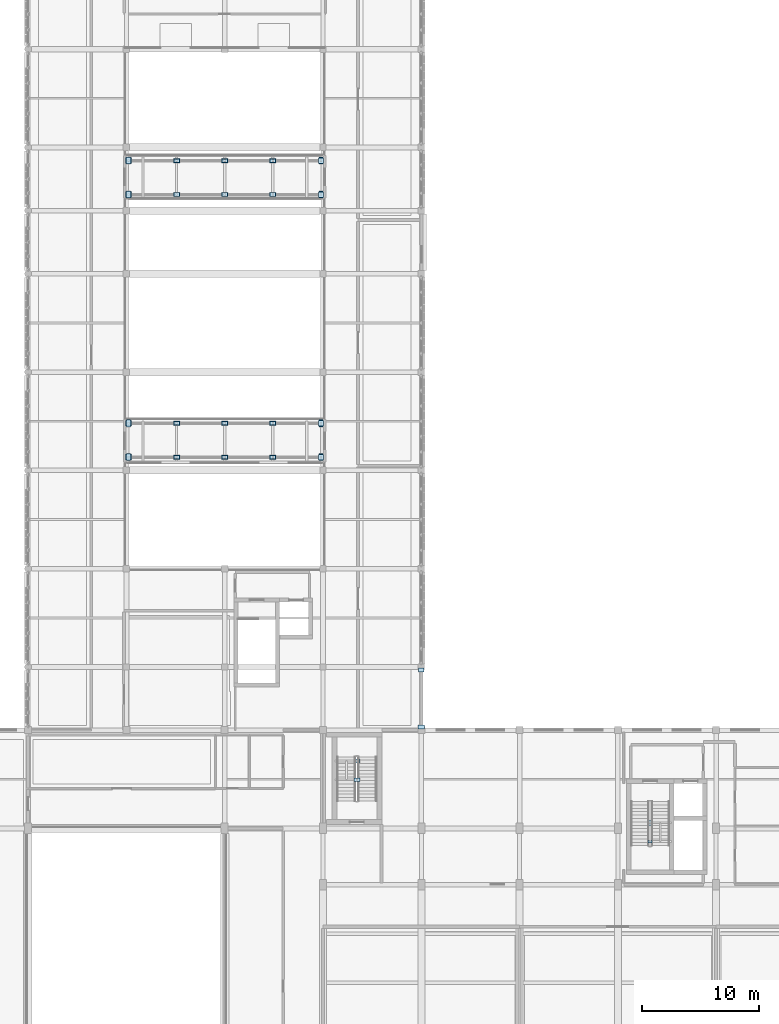
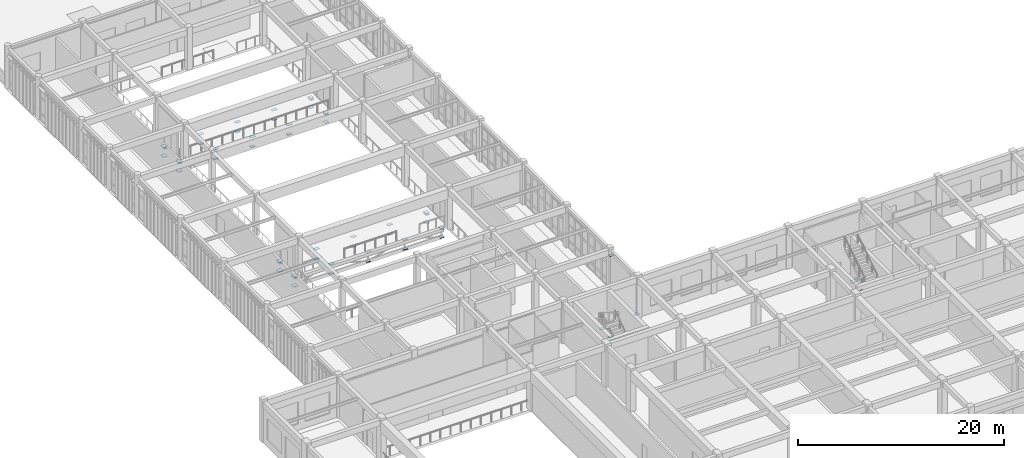
# One storey, part 54 of 77: 54 plates.
"""IFC4 building model written with IfcOpenShell, lengths in metres."""

import ifcopenshell
import ifcopenshell.guid

model = None  # the IFC model being written
_history = None  # IfcOwnerHistory: only IFC2X3 demands one
_inside = {}  # id of a spatial element -> (the spatial element, [elements in it])
_under = {}  # id of a project, library or spatial element -> (it, [spatial elements below it])
_declared = {}  # id of a project -> (the project, [libraries it declares])
_typed = {}  # id of a type object -> (the type object, [elements of that type])
_made_of = {}  # id of a material, layer set ... -> (it, [elements and type objects made of it])


def new_model(schema):
    """Start an empty IFC model of exactly this schema.

    Asked for "IFC4X3", IfcOpenShell would pick the latest addendum, in which some entities
    have other attributes; the version numbers below select the first issue.
    IFC2X3 requires an IfcOwnerHistory on every rooted entity: one is made here for all.
    """
    global model, _history
    if schema == "IFC4X3":
        model = ifcopenshell.file(schema_version=(4, 3, 0, 0))
    else:
        model = ifcopenshell.file(schema=schema)
    _inside.clear()
    _under.clear()
    _declared.clear()
    _typed.clear()
    _made_of.clear()
    _history = None
    if model.schema == "IFC2X3":
        org = make("IfcOrganization", Name="unknown")
        user = make(
            "IfcPersonAndOrganization",
            ThePerson=make("IfcPerson", FamilyName="unknown"),
            TheOrganization=org,
        )
        app = make(
            "IfcApplication",
            ApplicationDeveloper=org,
            Version="unknown",
            ApplicationFullName="unknown",
            ApplicationIdentifier="unknown",
        )
        _history = make(
            "IfcOwnerHistory",
            OwningUser=user,
            OwningApplication=app,
            ChangeAction="ADDED",
            CreationDate=0,
        )
    return model


def make(cls, **values):
    """One entity of the class cls with the attributes given. An attribute that is None is left unset."""
    return model.create_entity(
        cls, **{name: value for name, value in values.items() if value is not None}
    )


def rooted(cls, **values):
    """An entity with a GlobalId (a new one), such as an element, a storey or a relation."""
    return make(cls, GlobalId=ifcopenshell.guid.new(), OwnerHistory=_history, **values)


def si_unit(unit_type, name, prefix=None):
    """IfcSIUnit, for example si_unit("LENGTHUNIT", "METRE", prefix="MILLI")."""
    return make("IfcSIUnit", UnitType=unit_type, Prefix=prefix, Name=name)


def assignment(units):
    """IfcUnitAssignment: the units of a project."""
    return None if units is None else make("IfcUnitAssignment", Units=units)


def point(xyz):
    """IfcCartesianPoint."""
    return None if xyz is None else make("IfcCartesianPoint", Coordinates=xyz)


def direction(xyz):
    """IfcDirection."""
    return None if xyz is None else make("IfcDirection", DirectionRatios=xyz)


def frame(location, z_axis=None, x_axis=None):
    """IfcAxis2Placement3D, a coordinate frame: its origin and axes. An axis left out is left unset."""
    return make(
        "IfcAxis2Placement3D",
        Location=point(location),
        Axis=direction(z_axis),
        RefDirection=direction(x_axis),
    )


def frame_2d(location, x_axis=None):
    """IfcAxis2Placement2D, a coordinate frame in the plane: its origin and x axis."""
    return make(
        "IfcAxis2Placement2D", Location=point(location), RefDirection=direction(x_axis)
    )


def origin():
    """The frame at (0, 0, 0) with its axes left unset."""
    return frame((0.0, 0.0, 0.0))


def origin_2d():
    """The frame at (0, 0) in the plane with its x axis left unset."""
    return frame_2d((0.0, 0.0))


def place(relative_to, where):
    """IfcLocalPlacement: puts the frame where relative to a parent placement (None: the world)."""
    return make(
        "IfcLocalPlacement", PlacementRelTo=relative_to, RelativePlacement=where
    )


def context(
    kind, dimensions, precision=None, world=None, true_north=None, identifier=None
):
    """IfcGeometricRepresentationContext, for example the 3D "Model" context."""
    return make(
        "IfcGeometricRepresentationContext",
        ContextIdentifier=identifier,
        ContextType=kind,
        CoordinateSpaceDimension=dimensions,
        Precision=precision,
        WorldCoordinateSystem=world,
        TrueNorth=true_north,
    )


def subcontext(parent, identifier, kind, view, scale=None):
    """IfcGeometricRepresentationSubContext, for example "Body" below "Model"."""
    return make(
        "IfcGeometricRepresentationSubContext",
        ContextIdentifier=identifier,
        ContextType=kind,
        ParentContext=parent,
        TargetScale=scale,
        TargetView=view,
    )


def project(units=None, contexts=None):
    """IfcProject with its units and contexts."""
    return rooted(
        "IfcProject",
        Name="project",
        RepresentationContexts=contexts,
        UnitsInContext=assignment(units),
    )


def spatial(cls, under=None, at=None, **own):
    """A site, building, storey or space (cls), placed at a placement, below another one or the project."""
    s = rooted(cls, ObjectPlacement=at, **own)
    if under is not None:
        _under.setdefault(under.id(), (under, []))[1].append(s)
    return s


def profile(cls, at=None, kind="AREA", **sizes):
    """A parametric profile (cls). Its sizes go by their IFC names, for example OverallWidth=200.0."""
    return make(cls, ProfileType=kind, Position=at, **sizes)


def rectangle(**sizes):
    """IfcRectangleProfileDef."""
    return profile("IfcRectangleProfileDef", **sizes)


def extrude(swept, where, along, depth):
    """IfcExtrudedAreaSolid: the profile swept, set in the frame where, extruded along a direction by depth."""
    return make(
        "IfcExtrudedAreaSolid",
        SweptArea=swept,
        Position=where,
        ExtrudedDirection=direction(along),
        Depth=depth,
    )


def shape(context_of_items, identifier, shape_type, items):
    """IfcShapeRepresentation: the items that make up one representation, for example the "Body"."""
    return make(
        "IfcShapeRepresentation",
        ContextOfItems=context_of_items,
        RepresentationIdentifier=identifier,
        RepresentationType=shape_type,
        Items=items,
    )


def material(Name=None, Category=None):
    """IfcMaterial."""
    return make("IfcMaterial", Name=Name, Category=Category)


def layer(
    of_material, thickness, ventilated=None, Name=None, Category=None, Priority=None
):
    """IfcMaterialLayer: one layer of a wall or slab, of a material (None: an air gap)."""
    return make(
        "IfcMaterialLayer",
        Material=of_material,
        LayerThickness=thickness,
        IsVentilated=ventilated,
        Name=Name,
        Category=Category,
        Priority=Priority,
    )


def layer_set(layers, Name=None):
    """IfcMaterialLayerSet."""
    return make("IfcMaterialLayerSet", MaterialLayers=layers, LayerSetName=Name)


def made_of(thing, what):
    """Note that an element or type object is made of a material, layer set ...; save() writes the relation."""
    if what is not None:
        _made_of.setdefault(what.id(), (what, []))[1].append(thing)
    return thing


def type_object(cls, material=None, **own):
    """A type object (cls), such as IfcWallType, which elements share."""
    return made_of(rooted(cls, **own), material)


def element(
    cls,
    number,
    at=None,
    inside=None,
    cuts=None,
    type_object=None,
    material=None,
    context=None,
    identifier="Body",
    shape_type=None,
    held_by="IfcProductDefinitionShape",
    body=None,
    shapes=None,
    **own,
):
    """One element of the class cls, such as IfcWall. Its Tag is "e" and its number.

    at: its placement. inside: the storey or other place that contains it. cuts: it is an
    opening in that element (IfcRelVoidsElement). A single representation is given by context,
    identifier, shape_type and body (its items); several are given by shapes. held_by: the class
    of the entity that holds the representations. save() writes the other relations.
    """
    e = rooted(cls, Tag="e%d" % number, ObjectPlacement=at, **own)
    if body is not None:
        shapes = [shape(context, identifier, shape_type, body)]
    if shapes is not None:
        e.Representation = make(held_by, Representations=shapes)
    if inside is not None:
        _inside.setdefault(inside.id(), (inside, []))[1].append(e)
    if cuts is not None:
        rooted(
            "IfcRelVoidsElement", RelatingBuildingElement=cuts, RelatedOpeningElement=e
        )
    if type_object is not None:
        _typed.setdefault(type_object.id(), (type_object, []))[1].append(e)
    return made_of(e, material)


def aggregate(whole, parts):
    """IfcRelAggregates: a whole, such as a stair, and the parts it consists of."""
    return rooted("IfcRelAggregates", RelatingObject=whole, RelatedObjects=parts)


def save(model, path):
    """Write the relations noted so far, then the file.

    IfcRelAggregates (storeys below a building ...), IfcRelContainedInSpatialStructure (elements
    in a storey), IfcRelDefinesByType, IfcRelAssociatesMaterial and IfcRelDeclares: one each for
    every whole, place, type object, material and project.
    """
    for whole, parts in _under.values():
        aggregate(whole, parts)
    for where, things in _inside.values():
        rooted(
            "IfcRelContainedInSpatialStructure",
            RelatedElements=things,
            RelatingStructure=where,
        )
    for kind, things in _typed.values():
        rooted("IfcRelDefinesByType", RelatedObjects=things, RelatingType=kind)
    for what, things in _made_of.values():
        rooted("IfcRelAssociatesMaterial", RelatedObjects=things, RelatingMaterial=what)
    for by, libraries in _declared.values():
        rooted("IfcRelDeclares", RelatingContext=by, RelatedDefinitions=libraries)
    model.write(path)


model = new_model("IFC4")

# Units and contexts
model_context = context("Model", 3, precision=1e-05, world=origin(), true_north=direction((0.0, 1.0)))
body_context = subcontext(model_context, "Body", "Model", "MODEL_VIEW")
ifc_project = project(units=[si_unit("LENGTHUNIT", "METRE"), si_unit("AREAUNIT", "SQUARE_METRE"), si_unit("VOLUMEUNIT", "CUBIC_METRE"), si_unit("PLANEANGLEUNIT", "RADIAN"), si_unit("MASSUNIT", "GRAM", prefix="KILO")], contexts=[model_context])

# Site, building, storey
site_placement = place(None, origin())
site = spatial("IfcSite", under=ifc_project, at=site_placement, CompositionType="ELEMENT")
building_placement = place(site_placement, origin())
building = spatial("IfcBuilding", under=site, at=building_placement, Name="Krzemoval Escarpment Law Courts", CompositionType="ELEMENT")
storey_placement = place(building_placement, frame((0.0, 0.0, 15.300048828125)))
storey = spatial("IfcBuildingStorey", under=building, at=storey_placement, Name="L03", CompositionType="ELEMENT", Elevation=15.300048828125)

# Plates
ifc_material_1 = material(Name="Steel S355", Category="steel")
ifc_layer_1 = layer(ifc_material_1, 0.034912109375)
ifc_layer_set_1 = layer_set([ifc_layer_1], Name="Steel S355")
plate_type_1 = type_object("IfcPlateType", Name="PLT-BRG-SEAT360", PredefinedType="USERDEFINED", material=ifc_layer_set_1)
for number, where, z_axis, x_axis, name in (
    (1, (16.97998046875, 58.72998046875, -0.70556640625), (0.0, 0.0, 1.0), (1.0, 0.0, 0.0), "Sky-Bridge 360mm Sliding Bearing Seat BSP-0009"),
    (2, (33.419921875, 58.72998046875, -0.70556640625), (0.0, 0.0, 1.0), (1.0, 0.0, 0.0), "Sky-Bridge 360mm Sliding Bearing Seat BSP-0010"),
    (3, (16.97998046875, 61.6298828125, -0.70556640625), (0.0, 0.0, 1.0), (1.0, 0.0, 0.0), "Sky-Bridge 360mm Sliding Bearing Seat BSP-0011"),
    (4, (33.419921875, 61.6298828125, -0.70556640625), (0.0, 0.0, 1.0), (1.0, 0.0, 0.0), "Sky-Bridge 360mm Sliding Bearing Seat BSP-0012"),
    (5, (16.97998046875, 81.169921875, -0.70556640625), (0.0, 0.0, 1.0), (1.0, 0.0, 0.0), "Sky-Bridge 360mm Sliding Bearing Seat BSP-0021"),
    (6, (33.419921875, 81.169921875, -0.70556640625), (0.0, 0.0, 1.0), (1.0, 0.0, 0.0), "Sky-Bridge 360mm Sliding Bearing Seat BSP-0022"),
    (7, (16.97998046875, 84.070068359375, -0.70556640625), (0.0, 0.0, 1.0), (1.0, 0.0, 0.0), "Sky-Bridge 360mm Sliding Bearing Seat BSP-0023"),
    (8, (33.419921875, 84.070068359375, -0.70556640625), (0.0, 0.0, 1.0), (1.0, 0.0, 0.0), "Sky-Bridge 360mm Sliding Bearing Seat BSP-0024"),
):
    element("IfcPlate", number, at=place(storey_placement, frame(where, z_axis=z_axis, x_axis=x_axis)), inside=storey, type_object=plate_type_1, Name=name, ObjectType="FLANGE_PLATE", PredefinedType="USERDEFINED", context=body_context, shape_type="SweptSolid", body=[
        extrude(rectangle(XDim=0.360107421875, YDim=0.60009765625, at=origin_2d()), origin(), (0.0, 0.0, 1.0), 0.034912109375),
    ])
ifc_material_2 = material(Name="Steel S355", Category="steel")
ifc_layer_2 = layer(ifc_material_2, 0.034912109375)
ifc_layer_set_2 = layer_set([ifc_layer_2], Name="Steel S355")
plate_type_2 = type_object("IfcPlateType", Name="PLT-FLG-35", PredefinedType="USERDEFINED", material=ifc_layer_set_2)
for number, where, z_axis, x_axis, name in (
    (9, (33.429931640625, 58.72998046875, -1.6875), (0.0, 0.0, 1.0), (1.0, 0.0, 0.0), "Gusset and End-Cap Plate ECP-0173"),
    (10, (33.429931640625, 58.72998046875, -0.53759765625), (0.0, 0.0, 1.0), (1.0, 0.0, 0.0), "Gusset and End-Cap Plate ECP-0175"),
    (11, (33.429931640625, 61.6298828125, -1.6875), (0.0, 0.0, 1.0), (1.0, 0.0, 0.0), "Gusset and End-Cap Plate ECP-0183"),
    (12, (33.429931640625, 61.6298828125, -0.53759765625), (0.0, 0.0, 1.0), (1.0, 0.0, 0.0), "Gusset and End-Cap Plate ECP-0185"),
    (13, (33.429931640625, 81.169921875, -1.6875), (0.0, 0.0, 1.0), (1.0, 0.0, 0.0), "Gusset and End-Cap Plate ECP-0233"),
    (14, (33.429931640625, 81.169921875, -0.53759765625), (0.0, 0.0, 1.0), (1.0, 0.0, 0.0), "Gusset and End-Cap Plate ECP-0235"),
    (15, (33.429931640625, 84.070068359375, -1.6875), (0.0, 0.0, 1.0), (1.0, 0.0, 0.0), "Gusset and End-Cap Plate ECP-0243"),
    (16, (33.429931640625, 84.070068359375, -0.53759765625), (0.0, 0.0, 1.0), (1.0, 0.0, 0.0), "Gusset and End-Cap Plate ECP-0245"),
):
    element("IfcPlate", number, at=place(storey_placement, frame(where, z_axis=z_axis, x_axis=x_axis)), inside=storey, type_object=plate_type_2, Name=name, ObjectType="FLANGE_PLATE", PredefinedType="USERDEFINED", context=body_context, shape_type="SweptSolid", body=[
        extrude(rectangle(XDim=0.4599609375, YDim=0.4599609375, at=origin_2d()), origin(), (0.0, 0.0, 1.0), 0.034912109375),
    ])
ifc_material_3 = material(Name="Steel S355", Category="steel")
ifc_layer_3 = layer(ifc_material_3, 0.0400390625)
ifc_layer_set_3 = layer_set([ifc_layer_3], Name="Steel S355")
plate_type_3 = type_object("IfcPlateType", Name="PLT-FLG-40", PredefinedType="USERDEFINED", material=ifc_layer_set_3)
for number, where, z_axis, x_axis, name in (
    (17, (16.969970703125, 58.72998046875, -1.690185546875), (0.0, 0.0, 1.0), (1.0, 0.0, 0.0), "Gusset and End-Cap Plate ECP-0172"),
    (18, (16.969970703125, 58.72998046875, -0.5400390625), (0.0, 0.0, 1.0), (1.0, 0.0, 0.0), "Gusset and End-Cap Plate ECP-0174"),
    (19, (16.969970703125, 61.6298828125, -1.690185546875), (0.0, 0.0, 1.0), (1.0, 0.0, 0.0), "Gusset and End-Cap Plate ECP-0182"),
    (20, (16.969970703125, 61.6298828125, -0.5400390625), (0.0, 0.0, 1.0), (1.0, 0.0, 0.0), "Gusset and End-Cap Plate ECP-0184"),
    (21, (16.969970703125, 81.169921875, -1.690185546875), (0.0, 0.0, 1.0), (1.0, 0.0, 0.0), "Gusset and End-Cap Plate ECP-0232"),
    (22, (16.969970703125, 81.169921875, -0.5400390625), (0.0, 0.0, 1.0), (1.0, 0.0, 0.0), "Gusset and End-Cap Plate ECP-0234"),
    (23, (16.969970703125, 84.070068359375, -1.690185546875), (0.0, 0.0, 1.0), (1.0, 0.0, 0.0), "Gusset and End-Cap Plate ECP-0242"),
    (24, (16.969970703125, 84.070068359375, -0.5400390625), (0.0, 0.0, 1.0), (1.0, 0.0, 0.0), "Gusset and End-Cap Plate ECP-0244"),
    (25, (61.550048828125, 27.47998046875, 2.099853515625), (0.0, 0.0, 1.0), (1.0, 0.0, 0.0), "Gusset and End-Cap Plate ECP-0371"),
):
    element("IfcPlate", number, at=place(storey_placement, frame(where, z_axis=z_axis, x_axis=x_axis)), inside=storey, type_object=plate_type_3, Name=name, ObjectType="FLANGE_PLATE", PredefinedType="USERDEFINED", context=body_context, shape_type="SweptSolid", body=[
        extrude(rectangle(XDim=0.5, YDim=0.5, at=origin_2d()), origin(), (0.0, 0.0, 1.0), 0.0400390625),
    ])
ifc_material_4 = material(Name="Steel S355", Category="steel")
ifc_layer_4 = layer(ifc_material_4, 0.011962890625)
ifc_layer_set_4 = layer_set([ifc_layer_4], Name="Steel S355")
plate_type_4 = type_object("IfcPlateType", Name="PLT-GUS-12", PredefinedType="USERDEFINED", material=ifc_layer_set_4)
plate_placement = place(storey_placement, frame((61.550048828125, 25.8798828125, 2.11376953125), z_axis=(0.0, 0.0, 1.0), x_axis=(1.0, 0.0, 0.0)))
element("IfcPlate", 26, at=plate_placement, inside=storey, type_object=plate_type_4, Name="Gusset and End-Cap Plate ECP-0370", ObjectType="GUSSET_PLATE", PredefinedType="USERDEFINED", context=body_context, shape_type="SweptSolid", body=[
    extrude(rectangle(XDim=0.340087890625, YDim=0.219970703125, at=origin_2d()), origin(), (0.0, 0.0, 1.0), 0.011962890625),
])
ifc_material_5 = material(Name="Steel S355", Category="steel")
ifc_layer_5 = layer(ifc_material_5, 0.02001953125)
ifc_layer_set_5 = layer_set([ifc_layer_5], Name="Steel S355")
plate_type_5 = type_object("IfcPlateType", Name="PLT-GUS-20", PredefinedType="USERDEFINED", material=ifc_layer_set_5)
for number, where, z_axis, x_axis, name in (
    (27, (25.199951171875, 58.72998046875, -1.68017578125), (0.0, 0.0, 1.0), (1.0, 0.0, 0.0), "Gusset and End-Cap Plate ECP-0177"),
    (28, (21.0849609375, 58.72998046875, -1.68017578125), (0.0, 0.0, 1.0), (1.0, 0.0, 0.0), "Gusset and End-Cap Plate ECP-0179"),
    (29, (29.31494140625, 58.72998046875, -1.68017578125), (0.0, 0.0, 1.0), (1.0, 0.0, 0.0), "Gusset and End-Cap Plate ECP-0181"),
    (30, (25.199951171875, 61.6298828125, -1.68017578125), (0.0, 0.0, 1.0), (1.0, 0.0, 0.0), "Gusset and End-Cap Plate ECP-0187"),
    (31, (21.0849609375, 61.6298828125, -1.68017578125), (0.0, 0.0, 1.0), (1.0, 0.0, 0.0), "Gusset and End-Cap Plate ECP-0189"),
    (32, (29.31494140625, 61.6298828125, -1.68017578125), (0.0, 0.0, 1.0), (1.0, 0.0, 0.0), "Gusset and End-Cap Plate ECP-0191"),
    (33, (25.199951171875, 81.169921875, -1.68017578125), (0.0, 0.0, 1.0), (1.0, 0.0, 0.0), "Gusset and End-Cap Plate ECP-0237"),
    (34, (21.0849609375, 81.169921875, -1.68017578125), (0.0, 0.0, 1.0), (1.0, 0.0, 0.0), "Gusset and End-Cap Plate ECP-0239"),
    (35, (29.31494140625, 81.169921875, -1.68017578125), (0.0, 0.0, 1.0), (1.0, 0.0, 0.0), "Gusset and End-Cap Plate ECP-0241"),
    (36, (25.199951171875, 84.070068359375, -1.68017578125), (0.0, 0.0, 1.0), (1.0, 0.0, 0.0), "Gusset and End-Cap Plate ECP-0247"),
    (37, (21.0849609375, 84.070068359375, -1.68017578125), (0.0, 0.0, 1.0), (1.0, 0.0, 0.0), "Gusset and End-Cap Plate ECP-0249"),
    (38, (29.31494140625, 84.070068359375, -1.68017578125), (0.0, 0.0, 1.0), (1.0, 0.0, 0.0), "Gusset and End-Cap Plate ECP-0251"),
    (39, (42.0, 40.550048828125, 4.14990234375), (0.0, 0.0, 1.0), (1.0, 0.0, 0.0), "Gusset and End-Cap Plate ECP-0263"),
    (40, (36.5, 31.169921875, 2.10986328125), (0.0, 0.0, 1.0), (1.0, 0.0, 0.0), "Gusset and End-Cap Plate ECP-0403"),
):
    element("IfcPlate", number, at=place(storey_placement, frame(where, z_axis=z_axis, x_axis=x_axis)), inside=storey, type_object=plate_type_5, Name=name, ObjectType="GUSSET_PLATE", PredefinedType="USERDEFINED", context=body_context, shape_type="SweptSolid", body=[
        extrude(rectangle(XDim=0.47998046875, YDim=0.320068359375, at=origin_2d()), origin(), (0.0, 0.0, 1.0), 0.02001953125),
    ])
ifc_material_6 = material(Name="Steel S355", Category="steel")
ifc_layer_6 = layer(ifc_material_6, 0.030029296875)
ifc_layer_set_6 = layer_set([ifc_layer_6], Name="Steel S355")
plate_type_6 = type_object("IfcPlateType", Name="PLT-GUS-30", PredefinedType="USERDEFINED", material=ifc_layer_set_6)
for number, where, z_axis, x_axis, name in (
    (41, (21.0849609375, 58.72998046875, -0.53515625), (0.0, 0.0, 1.0), (1.0, 0.0, 0.0), "Gusset and End-Cap Plate ECP-0176"),
    (42, (29.31494140625, 58.72998046875, -0.53515625), (0.0, 0.0, 1.0), (1.0, 0.0, 0.0), "Gusset and End-Cap Plate ECP-0178"),
    (43, (25.199951171875, 58.72998046875, -0.53515625), (0.0, 0.0, 1.0), (1.0, 0.0, 0.0), "Gusset and End-Cap Plate ECP-0180"),
    (44, (21.0849609375, 61.6298828125, -0.53515625), (0.0, 0.0, 1.0), (1.0, 0.0, 0.0), "Gusset and End-Cap Plate ECP-0186"),
    (45, (29.31494140625, 61.6298828125, -0.53515625), (0.0, 0.0, 1.0), (1.0, 0.0, 0.0), "Gusset and End-Cap Plate ECP-0188"),
    (46, (25.199951171875, 61.6298828125, -0.53515625), (0.0, 0.0, 1.0), (1.0, 0.0, 0.0), "Gusset and End-Cap Plate ECP-0190"),
    (47, (21.0849609375, 81.169921875, -0.53515625), (0.0, 0.0, 1.0), (1.0, 0.0, 0.0), "Gusset and End-Cap Plate ECP-0236"),
    (48, (29.31494140625, 81.169921875, -0.53515625), (0.0, 0.0, 1.0), (1.0, 0.0, 0.0), "Gusset and End-Cap Plate ECP-0238"),
    (49, (25.199951171875, 81.169921875, -0.53515625), (0.0, 0.0, 1.0), (1.0, 0.0, 0.0), "Gusset and End-Cap Plate ECP-0240"),
    (50, (21.0849609375, 84.070068359375, -0.53515625), (0.0, 0.0, 1.0), (1.0, 0.0, 0.0), "Gusset and End-Cap Plate ECP-0246"),
    (51, (29.31494140625, 84.070068359375, -0.53515625), (0.0, 0.0, 1.0), (1.0, 0.0, 0.0), "Gusset and End-Cap Plate ECP-0248"),
    (52, (25.199951171875, 84.070068359375, -0.53515625), (0.0, 0.0, 1.0), (1.0, 0.0, 0.0), "Gusset and End-Cap Plate ECP-0250"),
    (53, (42.0, 35.675048828125, 0.125), (0.0, 0.0, 1.0), (1.0, 0.0, 0.0), "Gusset and End-Cap Plate ECP-0262"),
    (54, (36.5, 32.77001953125, 2.10498046875), (0.0, 0.0, 1.0), (1.0, 0.0, 0.0), "Gusset and End-Cap Plate ECP-0402"),
):
    element("IfcPlate", number, at=place(storey_placement, frame(where, z_axis=z_axis, x_axis=x_axis)), inside=storey, type_object=plate_type_6, Name=name, ObjectType="GUSSET_PLATE", PredefinedType="USERDEFINED", context=body_context, shape_type="SweptSolid", body=[
        extrude(rectangle(XDim=0.56005859375, YDim=0.360107421875, at=origin_2d()), origin(), (0.0, 0.0, 1.0), 0.030029296875),
    ])

save(model, "model.ifc")
